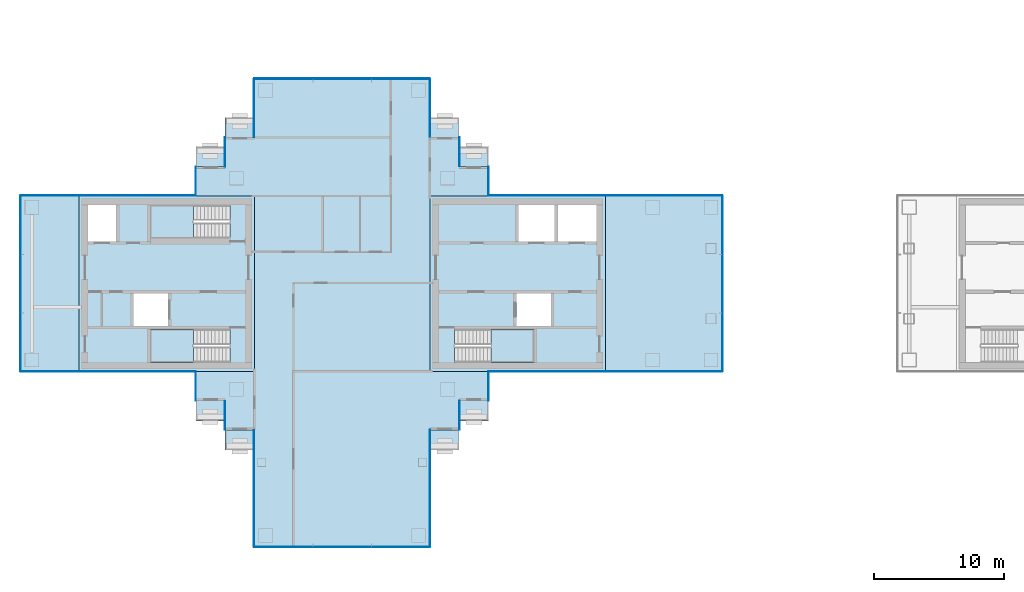
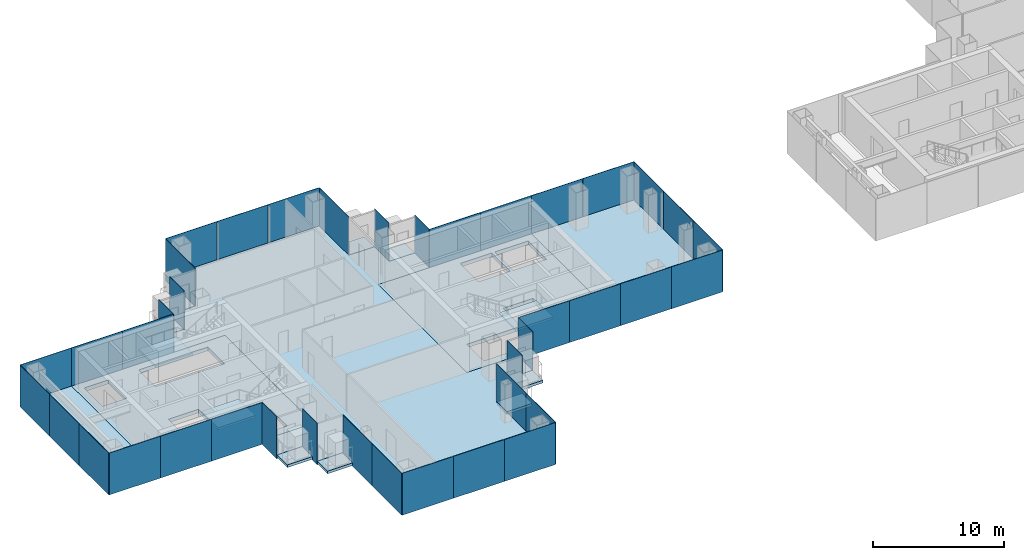
# One storey, part 7 of 16: 40 plates, 16 slabs, 23 elements without a shape of their own.
"""IFC4 building model written with IfcOpenShell, lengths in metres."""

from ifc_helpers import new_model, si_unit, direction, frame, origin, origin_2d, place, context, subcontext, project, spatial, polyline, rectangle, outline, extrude, material, layer, layer_set, type_object, element, aggregate, save


model = new_model("IFC4")

# Units and contexts
model_context = context("Model", 3, precision=1e-05, world=origin(), true_north=direction((0.0, 1.0)))
body_context = subcontext(model_context, "Body", "Model", "MODEL_VIEW")
ifc_project = project(units=[si_unit("LENGTHUNIT", "METRE"), si_unit("AREAUNIT", "SQUARE_METRE"), si_unit("VOLUMEUNIT", "CUBIC_METRE"), si_unit("PLANEANGLEUNIT", "RADIAN"), si_unit("MASSUNIT", "GRAM", prefix="KILO")], contexts=[model_context])

# Site, building, storey
site_placement = place(None, origin())
site = spatial("IfcSite", under=ifc_project, at=site_placement, CompositionType="ELEMENT")
building_placement = place(site_placement, origin())
building = spatial("IfcBuilding", under=site, at=building_placement, Name="Shamsa Quay Exchange Towers", CompositionType="ELEMENT")
storey_placement = place(building_placement, frame((0.0, 0.0, 150.60009765625)))
storey = spatial("IfcBuildingStorey", under=building, at=storey_placement, Name="L35", CompositionType="ELEMENT", Elevation=150.60009765625)

# Slabs
ifc_material_1 = material(Name="Precast concrete C40/50", Category="concrete")
ifc_layer_1 = layer(ifc_material_1, 0.25)
ifc_layer_set_1 = layer_set([ifc_layer_1], Name="BALCONY SLAB 250")
slab_type_1 = type_object("IfcSlabType", Name="BALCONY SLAB 250", PredefinedType="FLOOR", material=ifc_layer_set_1)
slab_1_placement = place(storey_placement, frame((0.0, 0.0, -0.25)))
element("IfcSlab", 1, at=slab_1_placement, inside=storey, type_object=slab_type_1, Name="Balcony T1-PKEN L35", PredefinedType="FLOOR", context=body_context, shape_type="SweptSolid", body=[
    extrude(outline(polyline([(-22.5, 9.0), (-24.7119140625, 9.0), (-24.7119140625, 10.550048828125), (-22.5, 10.550048828125), (-22.5, 9.0)])), origin(), (0.0, 0.0, 1.0), 0.25),
])
slab_2_placement = place(storey_placement, frame((0.0, 0.0, -0.25)))
element("IfcSlab", 2, at=slab_2_placement, inside=storey, type_object=slab_type_1, Name="Balcony T1-PKEN L35", PredefinedType="FLOOR", context=body_context, shape_type="SweptSolid", body=[
    extrude(outline(polyline([(-24.75, 11.25), (-26.9619140625, 11.25), (-26.9619140625, 12.800048828125), (-24.75, 12.800048828125), (-24.75, 11.25)])), origin(), (0.0, 0.0, 1.0), 0.25),
])
slab_3_placement = place(storey_placement, frame((0.0, 0.0, -0.25)))
element("IfcSlab", 3, at=slab_3_placement, inside=storey, type_object=slab_type_1, Name="Balcony T1-PKES L35", PredefinedType="FLOOR", context=body_context, shape_type="SweptSolid", body=[
    extrude(outline(polyline([(-24.7119140625, -9.0), (-22.5, -9.0), (-22.5, -10.550048828125), (-24.7119140625, -10.550048828125), (-24.7119140625, -9.0)])), origin(), (0.0, 0.0, 1.0), 0.25),
])
slab_4_placement = place(storey_placement, frame((0.0, 0.0, -0.25)))
element("IfcSlab", 4, at=slab_4_placement, inside=storey, type_object=slab_type_1, Name="Balcony T1-PKES L35", PredefinedType="FLOOR", context=body_context, shape_type="SweptSolid", body=[
    extrude(outline(polyline([(-26.9619140625, -11.25), (-24.75, -11.25), (-24.75, -12.800048828125), (-26.9619140625, -12.800048828125), (-26.9619140625, -11.25)])), origin(), (0.0, 0.0, 1.0), 0.25),
])
slab_5_placement = place(storey_placement, frame((0.0, 0.0, -0.25)))
element("IfcSlab", 5, at=slab_5_placement, inside=storey, type_object=slab_type_1, Name="Balcony T1-PKWN L35", PredefinedType="FLOOR", context=body_context, shape_type="SweptSolid", body=[
    extrude(outline(polyline([(-40.5380859375, 11.25), (-42.75, 11.25), (-42.75, 12.800048828125), (-40.5380859375, 12.800048828125), (-40.5380859375, 11.25)])), origin(), (0.0, 0.0, 1.0), 0.25),
])
slab_6_placement = place(storey_placement, frame((0.0, 0.0, -0.25)))
element("IfcSlab", 6, at=slab_6_placement, inside=storey, type_object=slab_type_1, Name="Balcony T1-PKWN L35", PredefinedType="FLOOR", context=body_context, shape_type="SweptSolid", body=[
    extrude(outline(polyline([(-42.7880859375, 9.0), (-45.0, 9.0), (-45.0, 10.550048828125), (-42.7880859375, 10.550048828125), (-42.7880859375, 9.0)])), origin(), (0.0, 0.0, 1.0), 0.25),
])
slab_7_placement = place(storey_placement, frame((0.0, 0.0, -0.25)))
element("IfcSlab", 7, at=slab_7_placement, inside=storey, type_object=slab_type_1, Name="Balcony T1-PKWS L35", PredefinedType="FLOOR", context=body_context, shape_type="SweptSolid", body=[
    extrude(outline(polyline([(-45.0, -9.0), (-42.7880859375, -9.0), (-42.7880859375, -10.550048828125), (-45.0, -10.550048828125), (-45.0, -9.0)])), origin(), (0.0, 0.0, 1.0), 0.25),
])
slab_8_placement = place(storey_placement, frame((0.0, 0.0, -0.25)))
element("IfcSlab", 8, at=slab_8_placement, inside=storey, type_object=slab_type_1, Name="Balcony T1-PKWS L35", PredefinedType="FLOOR", context=body_context, shape_type="SweptSolid", body=[
    extrude(outline(polyline([(-42.75, -11.25), (-40.5380859375, -11.25), (-40.5380859375, -12.800048828125), (-42.75, -12.800048828125), (-42.75, -11.25)])), origin(), (0.0, 0.0, 1.0), 0.25),
])
ifc_material_2 = material(Name="Concrete C50/60", Category="concrete")
ifc_layer_2 = layer(ifc_material_2, 0.35009765625)
ifc_layer_set_2 = layer_set([ifc_layer_2], Name="CORE FLOOR 350 C50/60")
slab_type_2 = type_object("IfcSlabType", Name="CORE FLOOR 350 C50/60", PredefinedType="FLOOR", material=ifc_layer_set_2)
slab_9_placement = place(storey_placement, frame((0.0, 0.0, -0.35009765625)))
element("IfcSlab", 9, at=slab_9_placement, inside=storey, type_object=slab_type_2, Name="Core floor T1A", PredefinedType="FLOOR", context=body_context, shape_type="SweptSolid", body=[
    extrude(outline(polyline([(-27.0, -6.75), (-13.5, -6.75), (-13.5, 6.75), (-27.0, 6.75), (-27.0, -6.75)]), holes=[polyline([(-25.099365234375, -6.050048828125), (-25.099365234375, -3.5), (-19.0, -3.5), (-19.0, -6.050048828125), (-25.099365234375, -6.050048828125)]), polyline([(-20.199951171875, 3.25), (-20.199951171875, 6.050048828125), (-17.39990234375, 6.050048828125), (-17.39990234375, 3.25), (-20.199951171875, 3.25)]), polyline([(-17.14990234375, 3.25), (-17.14990234375, 6.050048828125), (-14.199951171875, 6.050048828125), (-14.199951171875, 3.25), (-17.14990234375, 3.25)]), polyline([(-20.35009765625, -3.25), (-20.35009765625, -0.75), (-17.699951171875, -0.75), (-17.699951171875, -3.25), (-20.35009765625, -3.25)])]), origin(), (0.0, 0.0, 1.0), 0.35009765625),
])
slab_10_placement = place(storey_placement, frame((0.0, 0.0, -0.35009765625)))
element("IfcSlab", 10, at=slab_10_placement, inside=storey, type_object=slab_type_2, Name="Core floor T1B", PredefinedType="FLOOR", context=body_context, shape_type="SweptSolid", body=[
    extrude(outline(polyline([(-40.5, -6.75), (-40.5, 6.75), (-54.0, 6.75), (-54.0, -6.75), (-40.5, -6.75)]), holes=[polyline([(-42.400634765625, -3.5), (-42.400634765625, -6.050048828125), (-48.5, -6.050048828125), (-48.5, -3.5), (-42.400634765625, -3.5)]), polyline([(-42.400634765625, 6.050048828125), (-42.400634765625, 3.5), (-48.5, 3.5), (-48.5, 6.050048828125), (-42.400634765625, 6.050048828125)]), polyline([(-51.14990234375, 3.25), (-53.300048828125, 3.25), (-53.300048828125, 6.050048828125), (-51.14990234375, 6.050048828125), (-51.14990234375, 3.25)]), polyline([(-47.14990234375, -3.25), (-49.800048828125, -3.25), (-49.800048828125, -0.75), (-47.14990234375, -0.75), (-47.14990234375, -3.25)])]), origin(), (0.0, 0.0, 1.0), 0.35009765625),
])

# Stair, slab
ifc_material_3 = material(Name="Concrete C40/50", Category="concrete")
stair_type = type_object("IfcStairType", Name="EXIT STAIR 22 RISERS 177 MM", PredefinedType="HALF_TURN_STAIR", material=ifc_material_3)
stair_1_placement = place(storey_placement, origin())
stair_1 = element("IfcStair", 11, at=stair_1_placement, inside=storey, type_object=stair_type, Name="L35 Exit stair ST1", PredefinedType="HALF_TURN_STAIR")
ifc_layer_3 = layer(ifc_material_3, 0.199951171875)
ifc_layer_set_3 = layer_set([ifc_layer_3], Name="CORE STAIR LANDING")
slab_type_3 = type_object("IfcSlabType", Name="CORE STAIR LANDING", PredefinedType="LANDING", material=ifc_layer_set_3)
slab_11_placement = place(storey_placement, frame((0.0, 0.0, 1.75)))
slab_11 = element("IfcSlab", 12, at=slab_11_placement, type_object=slab_type_3, Name="ST1 landing 1", PredefinedType="LANDING", context=body_context, shape_type="SweptSolid", body=[
    extrude(outline(polyline([(-22.300048828125, -6.050048828125), (-19.0, -6.050048828125), (-19.0, -3.5), (-22.300048828125, -3.5), (-22.300048828125, -6.050048828125)])), origin(), (0.0, 0.0, 1.0), 0.199951171875),
])
aggregate(stair_1, [slab_11])

stair_2_placement = place(storey_placement, origin())
stair_2 = element("IfcStair", 13, at=stair_2_placement, inside=storey, type_object=stair_type, Name="L35 Exit stair ST2", PredefinedType="HALF_TURN_STAIR")
slab_12_placement = place(storey_placement, frame((0.0, 0.0, 1.75)))
slab_12 = element("IfcSlab", 14, at=slab_12_placement, type_object=slab_type_3, Name="ST2 landing 1", PredefinedType="LANDING", context=body_context, shape_type="SweptSolid", body=[
    extrude(outline(polyline([(-45.199951171875, -3.5), (-48.5, -3.5), (-48.5, -6.050048828125), (-45.199951171875, -6.050048828125), (-45.199951171875, -3.5)])), origin(), (0.0, 0.0, 1.0), 0.199951171875),
])
aggregate(stair_2, [slab_12])

stair_3_placement = place(storey_placement, origin())
stair_3 = element("IfcStair", 15, at=stair_3_placement, inside=storey, type_object=stair_type, Name="L35 Exit stair ST3", PredefinedType="HALF_TURN_STAIR")
slab_13_placement = place(storey_placement, frame((0.0, 0.0, 1.75)))
slab_13 = element("IfcSlab", 16, at=slab_13_placement, type_object=slab_type_3, Name="ST3 landing 1", PredefinedType="LANDING", context=body_context, shape_type="SweptSolid", body=[
    extrude(outline(polyline([(-45.199951171875, 6.050048828125), (-48.5, 6.050048828125), (-48.5, 3.5), (-45.199951171875, 3.5), (-45.199951171875, 6.050048828125)])), origin(), (0.0, 0.0, 1.0), 0.199951171875),
])
aggregate(stair_3, [slab_13])

# Curtain wall, plates
ifc_material_4 = material(Name="Aluminium EN AW-6063 T6, black anodised", Category="aluminium")
ifc_layer_4 = layer(ifc_material_4, 0.280029296875)
ifc_layer_set_4 = layer_set([ifc_layer_4], Name="CW-1 UNITISED VISION GLASS")
curtain_wall_type_1 = type_object("IfcCurtainWallType", Name="CW-1 UNITISED VISION GLASS", PredefinedType="NOTDEFINED", material=ifc_layer_set_4)
curtain_wall_1_placement = place(storey_placement, origin())
curtain_wall_1 = element("IfcCurtainWall", 17, at=curtain_wall_1_placement, inside=storey, type_object=curtain_wall_type_1, Name="CW1 T1-FLK-V-W L35", PredefinedType="NOTDEFINED")
ifc_material_5 = material(Name="Glass, laminated, dark tinted", Category="glass")
ifc_layer_5 = layer(ifc_material_5, 0.0400390625)
ifc_layer_set_5 = layer_set([ifc_layer_5], Name="CW-1 VISION GLASS 40")
plate_type_1 = type_object("IfcPlateType", Name="CW-1 VISION GLASS 40", PredefinedType="CURTAIN_PANEL", material=ifc_layer_set_5)
plate_1_placement = place(storey_placement, frame((-40.52001953125, -13.52587890625, -0.35009765625), z_axis=(0.0, 0.0, 1.0), x_axis=(0.0, -1.0, 0.0)))
plate_1 = element("IfcPlate", 18, at=plate_1_placement, type_object=plate_type_1, Name="CW1 glass panel", PredefinedType="CURTAIN_PANEL", context=body_context, shape_type="SweptSolid", body=[
    extrude(rectangle(XDim=4.47607421875, YDim=0.0400390625, at=origin_2d()), origin(), (0.0, 0.0, 1.0), 3.89990234375),
])
plate_2_placement = place(storey_placement, frame((-40.52001953125, -18.011962890625, -0.35009765625), z_axis=(0.0, 0.0, 1.0), x_axis=(0.0, -1.0, 0.0)))
plate_2 = element("IfcPlate", 19, at=plate_2_placement, type_object=plate_type_1, Name="CW1 glass panel", PredefinedType="CURTAIN_PANEL", context=body_context, shape_type="SweptSolid", body=[
    extrude(rectangle(XDim=4.47607421875, YDim=0.0400390625, at=origin_2d()), origin(), (0.0, 0.0, 1.0), 3.89990234375),
])
aggregate(curtain_wall_1, [plate_1, plate_2])

curtain_wall_2_placement = place(storey_placement, origin())
curtain_wall_2 = element("IfcCurtainWall", 20, at=curtain_wall_2_placement, inside=storey, type_object=curtain_wall_type_1, Name="CW1 T1-END-V- L35", PredefinedType="NOTDEFINED")
plate_3_placement = place(storey_placement, frame((-38.25244140625, -20.27001953125, -0.35009765625)))
plate_3 = element("IfcPlate", 21, at=plate_3_placement, type_object=plate_type_1, Name="CW1 glass panel", PredefinedType="CURTAIN_PANEL", context=body_context, shape_type="SweptSolid", body=[
    extrude(rectangle(XDim=4.4951171875, YDim=0.0400390625, at=origin_2d()), origin(), (0.0, 0.0, 1.0), 3.89990234375),
])
plate_4_placement = place(storey_placement, frame((-33.75, -20.27001953125, -0.35009765625)))
plate_4 = element("IfcPlate", 22, at=plate_4_placement, type_object=plate_type_1, Name="CW1 glass panel", PredefinedType="CURTAIN_PANEL", context=body_context, shape_type="SweptSolid", body=[
    extrude(rectangle(XDim=4.489990234375, YDim=0.0400390625, at=origin_2d()), origin(), (0.0, 0.0, 1.0), 3.89990234375),
])
plate_5_placement = place(storey_placement, frame((-29.24755859375, -20.27001953125, -0.35009765625)))
plate_5 = element("IfcPlate", 23, at=plate_5_placement, type_object=plate_type_1, Name="CW1 glass panel", PredefinedType="CURTAIN_PANEL", context=body_context, shape_type="SweptSolid", body=[
    extrude(rectangle(XDim=4.4951171875, YDim=0.0400390625, at=origin_2d()), origin(), (0.0, 0.0, 1.0), 3.89990234375),
])
aggregate(curtain_wall_2, [plate_3, plate_4, plate_5])

curtain_wall_3_placement = place(storey_placement, origin())
curtain_wall_3 = element("IfcCurtainWall", 24, at=curtain_wall_3_placement, inside=storey, type_object=curtain_wall_type_1, Name="CW1 T1-FLK-V-E L35", PredefinedType="NOTDEFINED")
plate_6_placement = place(storey_placement, frame((-26.97998046875, -18.00244140625, -0.35009765625), z_axis=(0.0, 0.0, 1.0), x_axis=(0.0, 1.0, 0.0)))
plate_6 = element("IfcPlate", 25, at=plate_6_placement, type_object=plate_type_1, Name="CW1 glass panel", PredefinedType="CURTAIN_PANEL", context=body_context, shape_type="SweptSolid", body=[
    extrude(rectangle(XDim=4.4951171875, YDim=0.0400390625, at=origin_2d()), origin(), (0.0, 0.0, 1.0), 3.89990234375),
])
plate_7_placement = place(storey_placement, frame((-26.97998046875, -13.49755859375, -0.35009765625), z_axis=(0.0, 0.0, 1.0), x_axis=(0.0, 1.0, 0.0)))
plate_7 = element("IfcPlate", 26, at=plate_7_placement, type_object=plate_type_1, Name="CW1 glass panel", PredefinedType="CURTAIN_PANEL", context=body_context, shape_type="SweptSolid", body=[
    extrude(rectangle(XDim=4.4951171875, YDim=0.0400390625, at=origin_2d()), origin(), (0.0, 0.0, 1.0), 3.89990234375),
])
aggregate(curtain_wall_3, [plate_6, plate_7])

curtain_wall_4_placement = place(storey_placement, origin())
curtain_wall_4 = element("IfcCurtainWall", 27, at=curtain_wall_4_placement, inside=storey, type_object=curtain_wall_type_1, Name="CW1 T1-FLK-U+S L35", PredefinedType="NOTDEFINED")
plate_8_placement = place(storey_placement, frame((-11.25244140625, -6.77001953125, -0.35009765625)))
plate_8 = element("IfcPlate", 28, at=plate_8_placement, type_object=plate_type_1, Name="CW1 glass panel", PredefinedType="CURTAIN_PANEL", context=body_context, shape_type="SweptSolid", body=[
    extrude(rectangle(XDim=4.4951171875, YDim=0.0400390625, at=origin_2d()), origin(), (0.0, 0.0, 1.0), 3.89990234375),
])
plate_9_placement = place(storey_placement, frame((-6.74755859375, -6.77001953125, -0.35009765625)))
plate_9 = element("IfcPlate", 29, at=plate_9_placement, type_object=plate_type_1, Name="CW1 glass panel", PredefinedType="CURTAIN_PANEL", context=body_context, shape_type="SweptSolid", body=[
    extrude(rectangle(XDim=4.4951171875, YDim=0.0400390625, at=origin_2d()), origin(), (0.0, 0.0, 1.0), 3.89990234375),
])
aggregate(curtain_wall_4, [plate_8, plate_9])

curtain_wall_5_placement = place(storey_placement, origin())
curtain_wall_5 = element("IfcCurtainWall", 30, at=curtain_wall_5_placement, inside=storey, type_object=curtain_wall_type_1, Name="CW1 T1-END-U+ L35", PredefinedType="NOTDEFINED")
plate_10_placement = place(storey_placement, frame((-4.47998046875, -4.50244140625, -0.35009765625), z_axis=(0.0, 0.0, 1.0), x_axis=(0.0, 1.0, 0.0)))
plate_10 = element("IfcPlate", 31, at=plate_10_placement, type_object=plate_type_1, Name="CW1 glass panel", PredefinedType="CURTAIN_PANEL", context=body_context, shape_type="SweptSolid", body=[
    extrude(rectangle(XDim=4.4951171875, YDim=0.0400390625, at=origin_2d()), origin(), (0.0, 0.0, 1.0), 3.89990234375),
])
plate_11_placement = place(storey_placement, frame((-4.47998046875, 0.0, -0.35009765625), z_axis=(0.0, 0.0, 1.0), x_axis=(0.0, 1.0, 0.0)))
plate_11 = element("IfcPlate", 32, at=plate_11_placement, type_object=plate_type_1, Name="CW1 glass panel", PredefinedType="CURTAIN_PANEL", context=body_context, shape_type="SweptSolid", body=[
    extrude(rectangle(XDim=4.489990234375, YDim=0.0400390625, at=origin_2d()), origin(), (0.0, 0.0, 1.0), 3.89990234375),
])
plate_12_placement = place(storey_placement, frame((-4.47998046875, 4.50244140625, -0.35009765625), z_axis=(0.0, 0.0, 1.0), x_axis=(0.0, 1.0, 0.0)))
plate_12 = element("IfcPlate", 33, at=plate_12_placement, type_object=plate_type_1, Name="CW1 glass panel", PredefinedType="CURTAIN_PANEL", context=body_context, shape_type="SweptSolid", body=[
    extrude(rectangle(XDim=4.4951171875, YDim=0.0400390625, at=origin_2d()), origin(), (0.0, 0.0, 1.0), 3.89990234375),
])
aggregate(curtain_wall_5, [plate_10, plate_11, plate_12])

curtain_wall_6_placement = place(storey_placement, origin())
curtain_wall_6 = element("IfcCurtainWall", 34, at=curtain_wall_6_placement, inside=storey, type_object=curtain_wall_type_1, Name="CW1 T1-FLK-U+N L35", PredefinedType="NOTDEFINED")
plate_13_placement = place(storey_placement, frame((-6.74755859375, 6.77001953125, -0.35009765625), z_axis=(0.0, 0.0, 1.0), x_axis=(-1.0, 0.0, 0.0)))
plate_13 = element("IfcPlate", 35, at=plate_13_placement, type_object=plate_type_1, Name="CW1 glass panel", PredefinedType="CURTAIN_PANEL", context=body_context, shape_type="SweptSolid", body=[
    extrude(rectangle(XDim=4.4951171875, YDim=0.0400390625, at=origin_2d()), origin(), (0.0, 0.0, 1.0), 3.89990234375),
])
plate_14_placement = place(storey_placement, frame((-11.25244140625, 6.77001953125, -0.35009765625), z_axis=(0.0, 0.0, 1.0), x_axis=(-1.0, 0.0, 0.0)))
plate_14 = element("IfcPlate", 36, at=plate_14_placement, type_object=plate_type_1, Name="CW1 glass panel", PredefinedType="CURTAIN_PANEL", context=body_context, shape_type="SweptSolid", body=[
    extrude(rectangle(XDim=4.4951171875, YDim=0.0400390625, at=origin_2d()), origin(), (0.0, 0.0, 1.0), 3.89990234375),
])
aggregate(curtain_wall_6, [plate_13, plate_14])

# Curtain wall, plate
curtain_wall_7_placement = place(storey_placement, origin())
curtain_wall_7 = element("IfcCurtainWall", 37, at=curtain_wall_7_placement, inside=storey, type_object=curtain_wall_type_1, Name="CW1 T1-FLK-V+E L35", PredefinedType="NOTDEFINED")
plate_15_placement = place(storey_placement, frame((-26.97998046875, 13.51904296875, -0.35009765625), z_axis=(0.0, 0.0, 1.0), x_axis=(0.0, 1.0, 0.0)))
plate_15 = element("IfcPlate", 38, at=plate_15_placement, type_object=plate_type_1, Name="CW1 glass panel", PredefinedType="CURTAIN_PANEL", context=body_context, shape_type="SweptSolid", body=[
    extrude(rectangle(XDim=4.4619140625, YDim=0.0400390625, at=origin_2d()), origin(), (0.0, 0.0, 1.0), 3.89990234375),
])
aggregate(curtain_wall_7, [plate_15])

# Curtain wall, plates
curtain_wall_8_placement = place(storey_placement, origin())
curtain_wall_8 = element("IfcCurtainWall", 39, at=curtain_wall_8_placement, inside=storey, type_object=curtain_wall_type_1, Name="CW1 T1-END-V+ L35", PredefinedType="NOTDEFINED")
plate_16_placement = place(storey_placement, frame((-29.24755859375, 15.77001953125, -0.35009765625), z_axis=(0.0, 0.0, 1.0), x_axis=(-1.0, 0.0, 0.0)))
plate_16 = element("IfcPlate", 40, at=plate_16_placement, type_object=plate_type_1, Name="CW1 glass panel", PredefinedType="CURTAIN_PANEL", context=body_context, shape_type="SweptSolid", body=[
    extrude(rectangle(XDim=4.4951171875, YDim=0.0400390625, at=origin_2d()), origin(), (0.0, 0.0, 1.0), 3.89990234375),
])
plate_17_placement = place(storey_placement, frame((-33.75, 15.77001953125, -0.35009765625), z_axis=(0.0, 0.0, 1.0), x_axis=(-1.0, 0.0, 0.0)))
plate_17 = element("IfcPlate", 41, at=plate_17_placement, type_object=plate_type_1, Name="CW1 glass panel", PredefinedType="CURTAIN_PANEL", context=body_context, shape_type="SweptSolid", body=[
    extrude(rectangle(XDim=4.489990234375, YDim=0.0400390625, at=origin_2d()), origin(), (0.0, 0.0, 1.0), 3.89990234375),
])
plate_18_placement = place(storey_placement, frame((-38.25244140625, 15.77001953125, -0.35009765625), z_axis=(0.0, 0.0, 1.0), x_axis=(-1.0, 0.0, 0.0)))
plate_18 = element("IfcPlate", 42, at=plate_18_placement, type_object=plate_type_1, Name="CW1 glass panel", PredefinedType="CURTAIN_PANEL", context=body_context, shape_type="SweptSolid", body=[
    extrude(rectangle(XDim=4.4951171875, YDim=0.0400390625, at=origin_2d()), origin(), (0.0, 0.0, 1.0), 3.89990234375),
])
aggregate(curtain_wall_8, [plate_16, plate_17, plate_18])

# Curtain wall, plate
curtain_wall_9_placement = place(storey_placement, origin())
curtain_wall_9 = element("IfcCurtainWall", 43, at=curtain_wall_9_placement, inside=storey, type_object=curtain_wall_type_1, Name="CW1 T1-FLK-V+W L35", PredefinedType="NOTDEFINED")
plate_19_placement = place(storey_placement, frame((-40.52001953125, 13.5, -0.35009765625), z_axis=(0.0, 0.0, 1.0), x_axis=(0.0, -1.0, 0.0)))
plate_19 = element("IfcPlate", 44, at=plate_19_placement, type_object=plate_type_1, Name="CW1 glass panel", PredefinedType="CURTAIN_PANEL", context=body_context, shape_type="SweptSolid", body=[
    extrude(rectangle(XDim=4.5, YDim=0.0400390625, at=origin_2d()), origin(), (0.0, 0.0, 1.0), 3.89990234375),
])
aggregate(curtain_wall_9, [plate_19])

curtain_wall_10_placement = place(storey_placement, origin())
curtain_wall_10 = element("IfcCurtainWall", 45, at=curtain_wall_10_placement, inside=storey, type_object=curtain_wall_type_1, Name="CW1 T1-FLK-U-N L35", PredefinedType="NOTDEFINED")
plate_20_placement = place(storey_placement, frame((-56.25, 6.77001953125, -0.35009765625), z_axis=(0.0, 0.0, 1.0), x_axis=(-1.0, 0.0, 0.0)))
plate_20 = element("IfcPlate", 46, at=plate_20_placement, type_object=plate_type_1, Name="CW1 glass panel", PredefinedType="CURTAIN_PANEL", context=body_context, shape_type="SweptSolid", body=[
    extrude(rectangle(XDim=4.5, YDim=0.0400390625, at=origin_2d()), origin(), (0.0, 0.0, 1.0), 3.89990234375),
])
aggregate(curtain_wall_10, [plate_20])

# Curtain wall, plates
curtain_wall_11_placement = place(storey_placement, origin())
curtain_wall_11 = element("IfcCurtainWall", 47, at=curtain_wall_11_placement, inside=storey, type_object=curtain_wall_type_1, Name="CW1 T1-END-U- L35", PredefinedType="NOTDEFINED")
plate_21_placement = place(storey_placement, frame((-58.52001953125, 4.50244140625, -0.35009765625), z_axis=(0.0, 0.0, 1.0), x_axis=(0.0, -1.0, 0.0)))
plate_21 = element("IfcPlate", 48, at=plate_21_placement, type_object=plate_type_1, Name="CW1 glass panel", PredefinedType="CURTAIN_PANEL", context=body_context, shape_type="SweptSolid", body=[
    extrude(rectangle(XDim=4.4951171875, YDim=0.0400390625, at=origin_2d()), origin(), (0.0, 0.0, 1.0), 3.89990234375),
])
plate_22_placement = place(storey_placement, frame((-58.52001953125, 0.0, -0.35009765625), z_axis=(0.0, 0.0, 1.0), x_axis=(0.0, -1.0, 0.0)))
plate_22 = element("IfcPlate", 49, at=plate_22_placement, type_object=plate_type_1, Name="CW1 glass panel", PredefinedType="CURTAIN_PANEL", context=body_context, shape_type="SweptSolid", body=[
    extrude(rectangle(XDim=4.489990234375, YDim=0.0400390625, at=origin_2d()), origin(), (0.0, 0.0, 1.0), 3.89990234375),
])
plate_23_placement = place(storey_placement, frame((-58.52001953125, -4.50244140625, -0.35009765625), z_axis=(0.0, 0.0, 1.0), x_axis=(0.0, -1.0, 0.0)))
plate_23 = element("IfcPlate", 50, at=plate_23_placement, type_object=plate_type_1, Name="CW1 glass panel", PredefinedType="CURTAIN_PANEL", context=body_context, shape_type="SweptSolid", body=[
    extrude(rectangle(XDim=4.4951171875, YDim=0.0400390625, at=origin_2d()), origin(), (0.0, 0.0, 1.0), 3.89990234375),
])
aggregate(curtain_wall_11, [plate_21, plate_22, plate_23])

# Curtain wall, plate
curtain_wall_12_placement = place(storey_placement, origin())
curtain_wall_12 = element("IfcCurtainWall", 51, at=curtain_wall_12_placement, inside=storey, type_object=curtain_wall_type_1, Name="CW1 T1-FLK-U-S L35", PredefinedType="NOTDEFINED")
plate_24_placement = place(storey_placement, frame((-56.25, -6.77001953125, -0.35009765625)))
plate_24 = element("IfcPlate", 52, at=plate_24_placement, type_object=plate_type_1, Name="CW1 glass panel", PredefinedType="CURTAIN_PANEL", context=body_context, shape_type="SweptSolid", body=[
    extrude(rectangle(XDim=4.5, YDim=0.0400390625, at=origin_2d()), origin(), (0.0, 0.0, 1.0), 3.89990234375),
])
aggregate(curtain_wall_12, [plate_24])

# Curtain wall, plates
ifc_layer_6 = layer(ifc_material_4, 0.303955078125)
ifc_layer_set_6 = layer_set([ifc_layer_6], Name="CW-2 UNITISED OPAQUE SPANDREL GLASS")
curtain_wall_type_2 = type_object("IfcCurtainWallType", Name="CW-2 UNITISED OPAQUE SPANDREL GLASS", PredefinedType="NOTDEFINED", material=ifc_layer_set_6)
curtain_wall_13_placement = place(storey_placement, origin())
curtain_wall_13 = element("IfcCurtainWall", 53, at=curtain_wall_13_placement, inside=storey, type_object=curtain_wall_type_2, Name="CW2 T1-FLK-U+S L35", PredefinedType="NOTDEFINED")
ifc_material_6 = material(Name="Glass, laminated, black enamelled opaque", Category="glass")
ifc_layer_7 = layer(ifc_material_6, 0.0439453125)
ifc_layer_set_7 = layer_set([ifc_layer_7], Name="CW-2 SPANDREL GLASS 44")
plate_type_2 = type_object("IfcPlateType", Name="CW-2 SPANDREL GLASS 44", PredefinedType="CURTAIN_PANEL", material=ifc_layer_set_7)
plate_25_placement = place(storey_placement, frame((-20.22412109375, -6.77197265625, -0.35009765625)))
plate_25 = element("IfcPlate", 54, at=plate_25_placement, type_object=plate_type_2, Name="CW2 glass panel", PredefinedType="CURTAIN_PANEL", context=body_context, shape_type="SweptSolid", body=[
    extrude(rectangle(XDim=4.47607421875, YDim=0.0439453125, at=origin_2d()), origin(), (0.0, 0.0, 1.0), 3.89990234375),
])
plate_26_placement = place(storey_placement, frame((-15.738037109375, -6.77197265625, -0.35009765625)))
plate_26 = element("IfcPlate", 55, at=plate_26_placement, type_object=plate_type_2, Name="CW2 glass panel", PredefinedType="CURTAIN_PANEL", context=body_context, shape_type="SweptSolid", body=[
    extrude(rectangle(XDim=4.47607421875, YDim=0.0439453125, at=origin_2d()), origin(), (0.0, 0.0, 1.0), 3.89990234375),
])
aggregate(curtain_wall_13, [plate_25, plate_26])

curtain_wall_14_placement = place(storey_placement, origin())
curtain_wall_14 = element("IfcCurtainWall", 56, at=curtain_wall_14_placement, inside=storey, type_object=curtain_wall_type_2, Name="CW2 T1-FLK-U+N L35", PredefinedType="NOTDEFINED")
plate_27_placement = place(storey_placement, frame((-15.74755859375, 6.77197265625, -0.35009765625), z_axis=(0.0, 0.0, 1.0), x_axis=(-1.0, 0.0, 0.0)))
plate_27 = element("IfcPlate", 57, at=plate_27_placement, type_object=plate_type_2, Name="CW2 glass panel", PredefinedType="CURTAIN_PANEL", context=body_context, shape_type="SweptSolid", body=[
    extrude(rectangle(XDim=4.4951171875, YDim=0.0439453125, at=origin_2d()), origin(), (0.0, 0.0, 1.0), 3.89990234375),
])
plate_28_placement = place(storey_placement, frame((-20.25244140625, 6.77197265625, -0.35009765625), z_axis=(0.0, 0.0, 1.0), x_axis=(-1.0, 0.0, 0.0)))
plate_28 = element("IfcPlate", 58, at=plate_28_placement, type_object=plate_type_2, Name="CW2 glass panel", PredefinedType="CURTAIN_PANEL", context=body_context, shape_type="SweptSolid", body=[
    extrude(rectangle(XDim=4.4951171875, YDim=0.0439453125, at=origin_2d()), origin(), (0.0, 0.0, 1.0), 3.89990234375),
])
aggregate(curtain_wall_14, [plate_27, plate_28])

curtain_wall_15_placement = place(storey_placement, origin())
curtain_wall_15 = element("IfcCurtainWall", 59, at=curtain_wall_15_placement, inside=storey, type_object=curtain_wall_type_2, Name="CW2 T1-FLK-U-N L35", PredefinedType="NOTDEFINED")
plate_29_placement = place(storey_placement, frame((-47.27587890625, 6.77197265625, -0.35009765625), z_axis=(0.0, 0.0, 1.0), x_axis=(-1.0, 0.0, 0.0)))
plate_29 = element("IfcPlate", 60, at=plate_29_placement, type_object=plate_type_2, Name="CW2 glass panel", PredefinedType="CURTAIN_PANEL", context=body_context, shape_type="SweptSolid", body=[
    extrude(rectangle(XDim=4.47607421875, YDim=0.0439453125, at=origin_2d()), origin(), (0.0, 0.0, 1.0), 3.89990234375),
])
plate_30_placement = place(storey_placement, frame((-51.761962890625, 6.77197265625, -0.35009765625), z_axis=(0.0, 0.0, 1.0), x_axis=(-1.0, 0.0, 0.0)))
plate_30 = element("IfcPlate", 61, at=plate_30_placement, type_object=plate_type_2, Name="CW2 glass panel", PredefinedType="CURTAIN_PANEL", context=body_context, shape_type="SweptSolid", body=[
    extrude(rectangle(XDim=4.47607421875, YDim=0.0439453125, at=origin_2d()), origin(), (0.0, 0.0, 1.0), 3.89990234375),
])
aggregate(curtain_wall_15, [plate_29, plate_30])

curtain_wall_16_placement = place(storey_placement, origin())
curtain_wall_16 = element("IfcCurtainWall", 62, at=curtain_wall_16_placement, inside=storey, type_object=curtain_wall_type_2, Name="CW2 T1-FLK-U-S L35", PredefinedType="NOTDEFINED")
plate_31_placement = place(storey_placement, frame((-51.75244140625, -6.77197265625, -0.35009765625)))
plate_31 = element("IfcPlate", 63, at=plate_31_placement, type_object=plate_type_2, Name="CW2 glass panel", PredefinedType="CURTAIN_PANEL", context=body_context, shape_type="SweptSolid", body=[
    extrude(rectangle(XDim=4.4951171875, YDim=0.0439453125, at=origin_2d()), origin(), (0.0, 0.0, 1.0), 3.89990234375),
])
plate_32_placement = place(storey_placement, frame((-47.24755859375, -6.77197265625, -0.35009765625)))
plate_32 = element("IfcPlate", 64, at=plate_32_placement, type_object=plate_type_2, Name="CW2 glass panel", PredefinedType="CURTAIN_PANEL", context=body_context, shape_type="SweptSolid", body=[
    extrude(rectangle(XDim=4.4951171875, YDim=0.0439453125, at=origin_2d()), origin(), (0.0, 0.0, 1.0), 3.89990234375),
])
aggregate(curtain_wall_16, [plate_31, plate_32])

ifc_layer_8 = layer(ifc_material_4, 0.256103515625)
ifc_layer_set_8 = layer_set([ifc_layer_8], Name="CW-4 POCKET SERRATED GLAZING")
curtain_wall_type_3 = type_object("IfcCurtainWallType", Name="CW-4 POCKET SERRATED GLAZING", PredefinedType="NOTDEFINED", material=ifc_layer_set_8)
curtain_wall_17_placement = place(storey_placement, origin())
curtain_wall_17 = element("IfcCurtainWall", 65, at=curtain_wall_17_placement, inside=storey, type_object=curtain_wall_type_3, Name="CW4 PKWS L35", PredefinedType="NOTDEFINED")
ifc_layer_9 = layer(ifc_material_5, 0.035888671875)
ifc_layer_set_9 = layer_set([ifc_layer_9], Name="CW-4 POCKET GLASS 36")
plate_type_3 = type_object("IfcPlateType", Name="CW-4 POCKET GLASS 36", PredefinedType="CURTAIN_PANEL", material=ifc_layer_set_9)
plate_33_placement = place(storey_placement, frame((-42.76806640625, -10.14404296875, -0.35009765625), z_axis=(0.0, 0.0, 1.0), x_axis=(0.0, -1.0, 0.0)))
plate_33 = element("IfcPlate", 66, at=plate_33_placement, type_object=plate_type_3, Name="CW4 glass panel", PredefinedType="CURTAIN_PANEL", context=body_context, shape_type="SweptSolid", body=[
    extrude(rectangle(XDim=2.2119140625, YDim=0.035888671875, at=origin_2d()), origin(), (0.0, 0.0, 1.0), 3.89990234375),
])
plate_34_placement = place(storey_placement, frame((-45.01806640625, -7.89794921875, -0.35009765625), z_axis=(0.0, 0.0, 1.0), x_axis=(0.0, -1.0, 0.0)))
plate_34 = element("IfcPlate", 67, at=plate_34_placement, type_object=plate_type_3, Name="CW4 glass panel", PredefinedType="CURTAIN_PANEL", context=body_context, shape_type="SweptSolid", body=[
    extrude(rectangle(XDim=2.2041015625, YDim=0.035888671875, at=origin_2d()), origin(), (0.0, 0.0, 1.0), 3.89990234375),
])
aggregate(curtain_wall_17, [plate_33, plate_34])

curtain_wall_18_placement = place(storey_placement, origin())
curtain_wall_18 = element("IfcCurtainWall", 68, at=curtain_wall_18_placement, inside=storey, type_object=curtain_wall_type_3, Name="CW4 PKES L35", PredefinedType="NOTDEFINED")
plate_35_placement = place(storey_placement, frame((-24.73193359375, -10.125, -0.35009765625), z_axis=(0.0, 0.0, 1.0), x_axis=(0.0, 1.0, 0.0)))
plate_35 = element("IfcPlate", 69, at=plate_35_placement, type_object=plate_type_3, Name="CW4 glass panel", PredefinedType="CURTAIN_PANEL", context=body_context, shape_type="SweptSolid", body=[
    extrude(rectangle(XDim=2.25, YDim=0.035888671875, at=origin_2d()), origin(), (0.0, 0.0, 1.0), 3.89990234375),
])
plate_36_placement = place(storey_placement, frame((-22.48193359375, -7.875, -0.35009765625), z_axis=(0.0, 0.0, 1.0), x_axis=(0.0, 1.0, 0.0)))
plate_36 = element("IfcPlate", 70, at=plate_36_placement, type_object=plate_type_3, Name="CW4 glass panel", PredefinedType="CURTAIN_PANEL", context=body_context, shape_type="SweptSolid", body=[
    extrude(rectangle(XDim=2.25, YDim=0.035888671875, at=origin_2d()), origin(), (0.0, 0.0, 1.0), 3.89990234375),
])
aggregate(curtain_wall_18, [plate_35, plate_36])

curtain_wall_19_placement = place(storey_placement, origin())
curtain_wall_19 = element("IfcCurtainWall", 71, at=curtain_wall_19_placement, inside=storey, type_object=curtain_wall_type_3, Name="CW4 PKEN L35", PredefinedType="NOTDEFINED")
plate_37_placement = place(storey_placement, frame((-22.48193359375, 7.89794921875, -0.35009765625), z_axis=(0.0, 0.0, 1.0), x_axis=(0.0, 1.0, 0.0)))
plate_37 = element("IfcPlate", 72, at=plate_37_placement, type_object=plate_type_3, Name="CW4 glass panel", PredefinedType="CURTAIN_PANEL", context=body_context, shape_type="SweptSolid", body=[
    extrude(rectangle(XDim=2.2041015625, YDim=0.035888671875, at=origin_2d()), origin(), (0.0, 0.0, 1.0), 3.89990234375),
])
plate_38_placement = place(storey_placement, frame((-24.73193359375, 10.14404296875, -0.35009765625), z_axis=(0.0, 0.0, 1.0), x_axis=(0.0, 1.0, 0.0)))
plate_38 = element("IfcPlate", 73, at=plate_38_placement, type_object=plate_type_3, Name="CW4 glass panel", PredefinedType="CURTAIN_PANEL", context=body_context, shape_type="SweptSolid", body=[
    extrude(rectangle(XDim=2.2119140625, YDim=0.035888671875, at=origin_2d()), origin(), (0.0, 0.0, 1.0), 3.89990234375),
])
aggregate(curtain_wall_19, [plate_37, plate_38])

curtain_wall_20_placement = place(storey_placement, origin())
curtain_wall_20 = element("IfcCurtainWall", 74, at=curtain_wall_20_placement, inside=storey, type_object=curtain_wall_type_3, Name="CW4 PKWN L35", PredefinedType="NOTDEFINED")
plate_39_placement = place(storey_placement, frame((-42.76806640625, 10.125, -0.35009765625), z_axis=(0.0, 0.0, 1.0), x_axis=(0.0, -1.0, 0.0)))
plate_39 = element("IfcPlate", 75, at=plate_39_placement, type_object=plate_type_3, Name="CW4 glass panel", PredefinedType="CURTAIN_PANEL", context=body_context, shape_type="SweptSolid", body=[
    extrude(rectangle(XDim=2.25, YDim=0.035888671875, at=origin_2d()), origin(), (0.0, 0.0, 1.0), 3.89990234375),
])
plate_40_placement = place(storey_placement, frame((-45.01806640625, 7.875, -0.35009765625), z_axis=(0.0, 0.0, 1.0), x_axis=(0.0, -1.0, 0.0)))
plate_40 = element("IfcPlate", 76, at=plate_40_placement, type_object=plate_type_3, Name="CW4 glass panel", PredefinedType="CURTAIN_PANEL", context=body_context, shape_type="SweptSolid", body=[
    extrude(rectangle(XDim=2.25, YDim=0.035888671875, at=origin_2d()), origin(), (0.0, 0.0, 1.0), 3.89990234375),
])
aggregate(curtain_wall_20, [plate_39, plate_40])

# Slabs
ifc_layer_10 = layer(ifc_material_3, 0.35009765625)
ifc_layer_set_10 = layer_set([ifc_layer_10], Name="Flat slab 350")
slab_type_4 = type_object("IfcSlabType", Name="Flat slab 350", PredefinedType="FLOOR", material=ifc_layer_set_10)
slab_14_placement = place(storey_placement, frame((0.0, 0.0, -0.35009765625)))
element("IfcSlab", 77, at=slab_14_placement, inside=storey, type_object=slab_type_4, Name="Flat slab T1 L35 1", PredefinedType="FLOOR", context=body_context, shape_type="SweptSolid", body=[
    extrude(outline(polyline([(-58.5, -6.75), (-54.0, -6.75), (-54.0, 6.75), (-58.5, 6.75), (-58.5, -6.75)])), origin(), (0.0, 0.0, 1.0), 0.35009765625),
])
slab_15_placement = place(storey_placement, frame((0.0, 0.0, -0.35009765625)))
element("IfcSlab", 78, at=slab_15_placement, inside=storey, type_object=slab_type_4, Name="Flat slab T1 L35 2", PredefinedType="FLOOR", context=body_context, shape_type="SweptSolid", body=[
    extrude(outline(polyline([(-22.5, -9.0), (-22.5, -6.75), (-27.0, -6.75), (-27.0, 6.75), (-22.5, 6.75), (-22.5, 9.0), (-24.75, 9.0), (-24.75, 11.25), (-27.0, 11.25), (-27.0, 15.75), (-40.5, 15.75), (-40.5, 11.25), (-42.75, 11.25), (-42.75, 9.0), (-45.0, 9.0), (-45.0, 6.75), (-40.5, 6.75), (-40.5, -6.75), (-45.0, -6.75), (-45.0, -9.0), (-42.75, -9.0), (-42.75, -11.25), (-40.5, -11.25), (-40.5, -20.25), (-27.0, -20.25), (-27.0, -11.25), (-24.75, -11.25), (-24.75, -9.0), (-22.5, -9.0)])), origin(), (0.0, 0.0, 1.0), 0.35009765625),
])
slab_16_placement = place(storey_placement, frame((0.0, 0.0, -0.35009765625)))
element("IfcSlab", 79, at=slab_16_placement, inside=storey, type_object=slab_type_4, Name="Flat slab T1 L35 3", PredefinedType="FLOOR", context=body_context, shape_type="SweptSolid", body=[
    extrude(outline(polyline([(-4.5, 6.75), (-13.5, 6.75), (-13.5, -6.75), (-4.5, -6.75), (-4.5, 6.75)])), origin(), (0.0, 0.0, 1.0), 0.35009765625),
])

save(model, "model.ifc")
